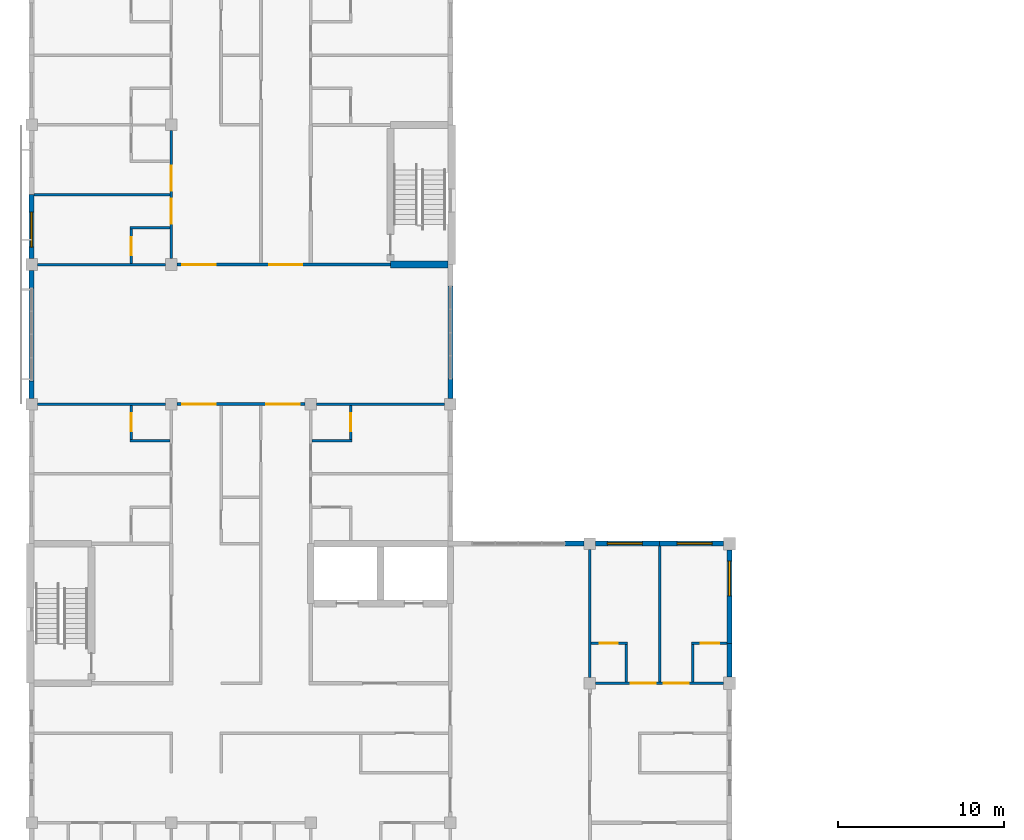
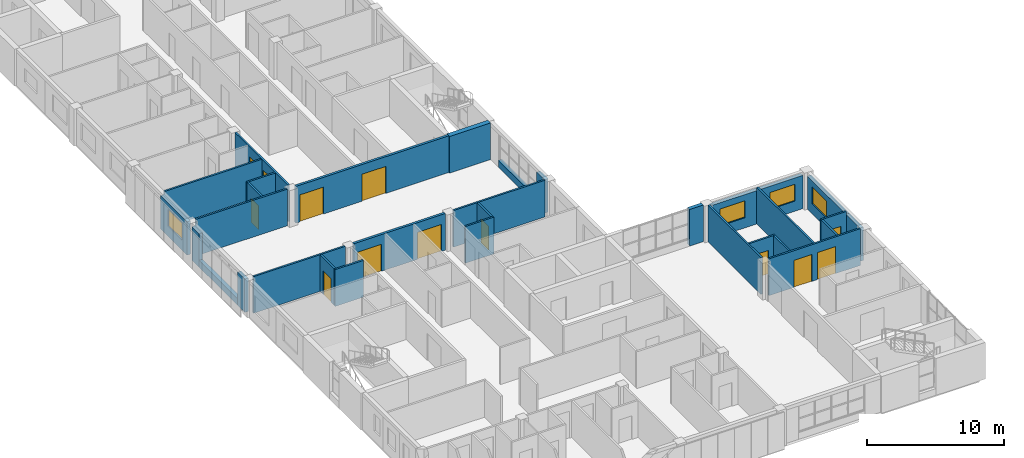
# One storey, part 26 of 45: 32 walls, 13 doors, 4 windows, 17 openings.
"""IFC4 building model written with IfcOpenShell, lengths in metres."""

from ifc_helpers import new_model, si_unit, direction, frame, frame_2d, origin, place, context, subcontext, project, spatial, rectangle, extrude, material, layer, layer_set, type_object, element, fill, save


model = new_model("IFC4")

# Units and contexts
model_context = context("Model", 3, precision=1e-05, world=origin(), true_north=direction((0.0, 1.0)))
body_context = subcontext(model_context, "Body", "Model", "MODEL_VIEW")
ifc_project = project(units=[si_unit("LENGTHUNIT", "METRE"), si_unit("AREAUNIT", "SQUARE_METRE"), si_unit("VOLUMEUNIT", "CUBIC_METRE"), si_unit("PLANEANGLEUNIT", "RADIAN"), si_unit("MASSUNIT", "GRAM", prefix="KILO")], contexts=[model_context])

# Site, building, storey
site_placement = place(None, origin())
site = spatial("IfcSite", under=ifc_project, at=site_placement, CompositionType="ELEMENT")
building_placement = place(site_placement, origin())
building = spatial("IfcBuilding", under=site, at=building_placement, Name="Yavir Park General Hospital", CompositionType="ELEMENT")
storey_placement = place(building_placement, frame((0.0, 0.0, 22.5)))
storey = spatial("IfcBuildingStorey", under=building, at=storey_placement, Name="L05", CompositionType="ELEMENT", Elevation=22.5)

# Wall, openings, doors
ifc_material_1 = material(Name="Double gypsum board fire partition on steel studs", Category="steel")
ifc_layer_1 = layer(ifc_material_1, 0.199951171875)
ifc_layer_set_1 = layer_set([ifc_layer_1], Name="Double gypsum board fire partition on steel studs")
wall_type_1 = type_object("IfcWallType", Name="Fire-rated partition 200, EI 60", PredefinedType="PARTITIONING", material=ifc_layer_set_1)
wall_1_placement = place(storey_placement, frame((8.75, 33.60009765625, 0.0), z_axis=(0.0, 0.0, 1.0), x_axis=(1.0, 0.0, 0.0)))
wall_1 = element("IfcWall", 1, at=wall_1_placement, inside=storey, type_object=wall_type_1, Name="FP20 L05-062", PredefinedType="PARTITIONING", context=body_context, shape_type="SweptSolid", body=[
    extrude(rectangle(XDim=7.699951171875, YDim=0.199951171875, at=frame_2d((3.85009765625, 0.0))), origin(), (0.0, 0.0, 1.0), 3.260009765625),
])
opening_1_placement = place(wall_1_placement, frame((0.324951171875, 0.0, 0.0)))
opening_1 = element("IfcOpeningElement", 2, at=opening_1_placement, cuts=wall_1, Name="Opening L05.D062", PredefinedType="OPENING", context=body_context, shape_type="SweptSolid", body=[
    extrude(rectangle(XDim=2.0, YDim=2.39990234375, at=frame_2d((1.0, 1.199951171875))), frame((0.0, 0.10986328125, 0.0), z_axis=(0.0, -1.0, 0.0), x_axis=(1.0, 0.0, 0.0)), (0.0, 0.0, 1.0), 0.219970703125),
])
opening_2_placement = place(wall_1_placement, frame((5.375, 0.0, 0.0)))
opening_2 = element("IfcOpeningElement", 3, at=opening_2_placement, cuts=wall_1, Name="Opening L05.D063", PredefinedType="OPENING", context=body_context, shape_type="SweptSolid", body=[
    extrude(rectangle(XDim=2.0, YDim=2.39990234375, at=frame_2d((1.0, 1.199951171875))), frame((0.0, 0.10986328125, 0.0), z_axis=(0.0, -1.0, 0.0), x_axis=(1.0, 0.0, 0.0)), (0.0, 0.0, 1.0), 0.219970703125),
])
ifc_material_2 = material(Name="Steel frame, fire-resisting leaves with vision panels", Category="steel")
door_type_1 = type_object("IfcDoorType", Name="Double fire door with vision panels 2000 x 2400, EI 60", OperationType="DOUBLE_DOOR_SINGLE_SWING", PredefinedType="DOOR", material=ifc_material_2)
door_1_placement = place(opening_1_placement, origin())
door_1 = element("IfcDoor", 4, at=door_1_placement, inside=storey, type_object=door_type_1, Name="L05.D062", OperationType="SINGLE_SWING_RIGHT", OverallHeight=2.39990234375, OverallWidth=2.0, PredefinedType="DOOR", context=body_context, shape_type="SweptSolid", body=[
    extrude(rectangle(XDim=2.0, YDim=2.39990234375, at=frame_2d((1.0, 1.199951171875))), frame((0.0, 0.030029296875, 0.0), z_axis=(0.0, -1.0, 0.0), x_axis=(1.0, 0.0, 0.0)), (0.0, 0.0, 1.0), 0.06005859375),
])
fill(opening_1, door_1)
door_2_placement = place(opening_2_placement, origin())
door_2 = element("IfcDoor", 5, at=door_2_placement, inside=storey, type_object=door_type_1, Name="L05.D063", OperationType="SINGLE_SWING_LEFT", OverallHeight=2.39990234375, OverallWidth=2.0, PredefinedType="DOOR", context=body_context, shape_type="SweptSolid", body=[
    extrude(rectangle(XDim=2.0, YDim=2.39990234375, at=frame_2d((1.0, 1.199951171875))), frame((0.0, 0.030029296875, 0.0), z_axis=(0.0, -1.0, 0.0), x_axis=(1.0, 0.0, 0.0)), (0.0, 0.0, 1.0), 0.06005859375),
])
fill(opening_2, door_2)

wall_2_placement = place(storey_placement, frame((8.75, 42.0, 0.0), z_axis=(0.0, 0.0, 1.0), x_axis=(1.0, 0.0, 0.0)))
wall_2 = element("IfcWall", 6, at=wall_2_placement, inside=storey, type_object=wall_type_1, Name="FP20 L05-065", PredefinedType="PARTITIONING", context=body_context, shape_type="SweptSolid", body=[
    extrude(rectangle(XDim=12.85009765625, YDim=0.199951171875, at=frame_2d((6.425048828125, 0.0))), origin(), (0.0, 0.0, 1.0), 3.260009765625),
])
opening_3_placement = place(wall_2_placement, frame((0.324951171875, 0.0, 0.0)))
opening_3 = element("IfcOpeningElement", 7, at=opening_3_placement, cuts=wall_2, Name="Opening L05.D064", PredefinedType="OPENING", context=body_context, shape_type="SweptSolid", body=[
    extrude(rectangle(XDim=2.0, YDim=2.39990234375, at=frame_2d((1.0, 1.199951171875))), frame((0.0, 0.10986328125, 0.0), z_axis=(0.0, -1.0, 0.0), x_axis=(1.0, 0.0, 0.0)), (0.0, 0.0, 1.0), 0.219970703125),
])
opening_4_placement = place(wall_2_placement, frame((5.550048828125, 0.0, 0.0)))
opening_4 = element("IfcOpeningElement", 8, at=opening_4_placement, cuts=wall_2, Name="Opening L05.D065", PredefinedType="OPENING", context=body_context, shape_type="SweptSolid", body=[
    extrude(rectangle(XDim=2.0, YDim=2.39990234375, at=frame_2d((1.0, 1.199951171875))), frame((0.0, 0.10986328125, 0.0), z_axis=(0.0, -1.0, 0.0), x_axis=(1.0, 0.0, 0.0)), (0.0, 0.0, 1.0), 0.219970703125),
])
door_3_placement = place(opening_3_placement, origin())
door_3 = element("IfcDoor", 9, at=door_3_placement, inside=storey, type_object=door_type_1, Name="L05.D064", OperationType="SINGLE_SWING_LEFT", OverallHeight=2.39990234375, OverallWidth=2.0, PredefinedType="DOOR", context=body_context, shape_type="SweptSolid", body=[
    extrude(rectangle(XDim=2.0, YDim=2.39990234375, at=frame_2d((1.0, 1.199951171875))), frame((0.0, 0.030029296875, 0.0), z_axis=(0.0, -1.0, 0.0), x_axis=(1.0, 0.0, 0.0)), (0.0, 0.0, 1.0), 0.06005859375),
])
fill(opening_3, door_3)
door_4_placement = place(opening_4_placement, origin())
door_4 = element("IfcDoor", 10, at=door_4_placement, inside=storey, type_object=door_type_1, Name="L05.D065", OperationType="SINGLE_SWING_RIGHT", OverallHeight=2.39990234375, OverallWidth=2.0, PredefinedType="DOOR", context=body_context, shape_type="SweptSolid", body=[
    extrude(rectangle(XDim=2.0, YDim=2.39990234375, at=frame_2d((1.0, 1.199951171875))), frame((0.0, 0.030029296875, 0.0), z_axis=(0.0, -1.0, 0.0), x_axis=(1.0, 0.0, 0.0)), (0.0, 0.0, 1.0), 0.06005859375),
])
fill(opening_4, door_4)

ifc_material_3 = material(Name="Gypsum board partition on steel studs", Category="steel")
ifc_layer_2 = layer(ifc_material_3, 0.14990234375)
ifc_layer_set_2 = layer_set([ifc_layer_2], Name="Gypsum board partition on steel studs")
wall_type_2 = type_object("IfcWallType", Name="Gypsum board partition 150", PredefinedType="PARTITIONING", material=ifc_layer_set_2)
wall_3_placement = place(storey_placement, frame((33.949951171875, 16.800048828125, 0.0), z_axis=(0.0, 0.0, 1.0), x_axis=(1.0, 0.0, 0.0)))
wall_3 = element("IfcWall", 11, at=wall_3_placement, inside=storey, type_object=wall_type_2, Name="P15 L05-035", PredefinedType="PARTITIONING", context=body_context, shape_type="SweptSolid", body=[
    extrude(rectangle(XDim=7.675048828125, YDim=0.14990234375, at=frame_2d((3.83740234375, 0.0))), origin(), (0.0, 0.0, 1.0), 3.260009765625),
])
opening_5_placement = place(wall_3_placement, frame((2.10009765625, 0.0, 0.0)))
opening_5 = element("IfcOpeningElement", 12, at=opening_5_placement, cuts=wall_3, Name="Opening L05.D036", PredefinedType="OPENING", context=body_context, shape_type="SweptSolid", body=[
    extrude(rectangle(XDim=1.5, YDim=2.39990234375, at=frame_2d((0.75, 1.199951171875))), frame((0.0, 0.0849609375, 0.0), z_axis=(0.0, -1.0, 0.0), x_axis=(1.0, 0.0, 0.0)), (0.0, 0.0, 1.0), 0.169921875),
])
opening_6_placement = place(wall_3_placement, frame((4.10009765625, 0.0, 0.0)))
opening_6 = element("IfcOpeningElement", 13, at=opening_6_placement, cuts=wall_3, Name="Opening L05.D037", PredefinedType="OPENING", context=body_context, shape_type="SweptSolid", body=[
    extrude(rectangle(XDim=1.5, YDim=2.39990234375, at=frame_2d((0.75, 1.199951171875))), frame((0.0, 0.0849609375, 0.0), z_axis=(0.0, -1.0, 0.0), x_axis=(1.0, 0.0, 0.0)), (0.0, 0.0, 1.0), 0.169921875),
])
ifc_material_4 = material(Name="Solid-core timber leaves, push plates, kick plates", Category="wood")
door_type_2 = type_object("IfcDoorType", Name="Bed door, unequal leaves 1500 x 2400", OperationType="DOUBLE_DOOR_SINGLE_SWING", PredefinedType="DOOR", material=ifc_material_4)
door_5_placement = place(opening_5_placement, origin())
door_5 = element("IfcDoor", 14, at=door_5_placement, inside=storey, type_object=door_type_2, Name="L05.D036", OperationType="SINGLE_SWING_RIGHT", OverallHeight=2.39990234375, OverallWidth=1.5, PredefinedType="DOOR", context=body_context, shape_type="SweptSolid", body=[
    extrude(rectangle(XDim=1.5, YDim=2.39990234375, at=frame_2d((0.75, 1.199951171875))), frame((0.0, 0.030029296875, 0.0), z_axis=(0.0, -1.0, 0.0), x_axis=(1.0, 0.0, 0.0)), (0.0, 0.0, 1.0), 0.06005859375),
])
fill(opening_5, door_5)
door_6_placement = place(opening_6_placement, origin())
door_6 = element("IfcDoor", 15, at=door_6_placement, inside=storey, type_object=door_type_2, Name="L05.D037", OperationType="SINGLE_SWING_RIGHT", OverallHeight=2.39990234375, OverallWidth=1.5, PredefinedType="DOOR", context=body_context, shape_type="SweptSolid", body=[
    extrude(rectangle(XDim=1.5, YDim=2.39990234375, at=frame_2d((0.75, 1.199951171875))), frame((0.0, 0.030029296875, 0.0), z_axis=(0.0, -1.0, 0.0), x_axis=(1.0, 0.0, 0.0)), (0.0, 0.0, 1.0), 0.06005859375),
])
fill(opening_6, door_6)

# Wall, opening, door
wall_4_placement = place(storey_placement, frame((33.675048828125, 19.199951171875, 0.0), z_axis=(0.0, 0.0, 1.0), x_axis=(1.0, 0.0, 0.0)))
wall_4 = element("IfcWall", 16, at=wall_4_placement, inside=storey, type_object=wall_type_2, Name="P15 L05-042", PredefinedType="PARTITIONING", context=body_context, shape_type="SweptSolid", body=[
    extrude(rectangle(XDim=2.199951171875, YDim=0.14990234375, at=frame_2d((1.10009765625, 0.0))), origin(), (0.0, 0.0, 1.0), 3.260009765625),
])
opening_7_placement = place(wall_4_placement, frame((0.512451171875, 0.0, 0.0)))
opening_7 = element("IfcOpeningElement", 17, at=opening_7_placement, cuts=wall_4, Name="Opening L05.D046", PredefinedType="OPENING", context=body_context, shape_type="SweptSolid", body=[
    extrude(rectangle(XDim=1.10009765625, YDim=2.10009765625, at=frame_2d((0.550048828125, 1.050048828125))), frame((0.0, 0.0849609375, 0.0), z_axis=(0.0, -1.0, 0.0), x_axis=(1.0, 0.0, 0.0)), (0.0, 0.0, 1.0), 0.169921875),
])
ifc_material_5 = material(Name="Hollow metal frame, solid-core timber leaf", Category="wood")
door_type_3 = type_object("IfcDoorType", Name="Single swing door 1100 x 2100", OperationType="SINGLE_SWING_LEFT", PredefinedType="DOOR", material=ifc_material_5)
door_7_placement = place(opening_7_placement, origin())
door_7 = element("IfcDoor", 18, at=door_7_placement, inside=storey, type_object=door_type_3, Name="L05.D046", OperationType="SINGLE_SWING_RIGHT", OverallHeight=2.10009765625, OverallWidth=1.10009765625, PredefinedType="DOOR", context=body_context, shape_type="SweptSolid", body=[
    extrude(rectangle(XDim=1.10009765625, YDim=2.10009765625, at=frame_2d((0.550048828125, 1.050048828125))), frame((0.0, 0.02490234375, 0.0), z_axis=(0.0, -1.0, 0.0), x_axis=(1.0, 0.0, 0.0)), (0.0, 0.0, 1.0), 0.050048828125),
])
fill(opening_7, door_7)

wall_5_placement = place(storey_placement, frame((39.72509765625, 19.199951171875, 0.0), z_axis=(0.0, 0.0, 1.0), x_axis=(1.0, 0.0, 0.0)))
wall_5 = element("IfcWall", 19, at=wall_5_placement, inside=storey, type_object=wall_type_2, Name="P15 L05-043", PredefinedType="PARTITIONING", context=body_context, shape_type="SweptSolid", body=[
    extrude(rectangle(XDim=2.125, YDim=0.14990234375, at=frame_2d((1.0625, 0.0))), origin(), (0.0, 0.0, 1.0), 3.260009765625),
])
opening_8_placement = place(wall_5_placement, frame((0.550048828125, 0.0, 0.0)))
opening_8 = element("IfcOpeningElement", 20, at=opening_8_placement, cuts=wall_5, Name="Opening L05.D047", PredefinedType="OPENING", context=body_context, shape_type="SweptSolid", body=[
    extrude(rectangle(XDim=1.10009765625, YDim=2.10009765625, at=frame_2d((0.550048828125, 1.050048828125))), frame((0.0, 0.0849609375, 0.0), z_axis=(0.0, -1.0, 0.0), x_axis=(1.0, 0.0, 0.0)), (0.0, 0.0, 1.0), 0.169921875),
])
door_8_placement = place(opening_8_placement, origin())
door_8 = element("IfcDoor", 21, at=door_8_placement, inside=storey, type_object=door_type_3, Name="L05.D047", OperationType="SINGLE_SWING_LEFT", OverallHeight=2.10009765625, OverallWidth=1.10009765625, PredefinedType="DOOR", context=body_context, shape_type="SweptSolid", body=[
    extrude(rectangle(XDim=1.10009765625, YDim=2.10009765625, at=frame_2d((0.550048828125, 1.050048828125))), frame((0.0, 0.02490234375, 0.0), z_axis=(0.0, -1.0, 0.0), x_axis=(1.0, 0.0, 0.0)), (0.0, 0.0, 1.0), 0.050048828125),
])
fill(opening_8, door_8)

# Walls
for number, where, z_axis, x_axis, name in (
    (22, (5.925048828125, 31.39990234375, 0.0), (0.0, 0.0, 1.0), (1.0, 0.0, 0.0), "P15 L05-059"),
    (23, (16.875, 31.39990234375, 0.0), (0.0, 0.0, 1.0), (1.0, 0.0, 0.0), "P15 L05-060"),
):
    element("IfcWall", number, at=place(storey_placement, frame(where, z_axis=z_axis, x_axis=x_axis)), inside=storey, type_object=wall_type_2, Name=name, PredefinedType="PARTITIONING", context=body_context, shape_type="SweptSolid", body=[
        extrude(rectangle(XDim=2.39990234375, YDim=0.14990234375, at=frame_2d((1.199951171875, 0.0))), origin(), (0.0, 0.0, 1.0), 3.260009765625),
    ])
wall_6_placement = place(storey_placement, frame((0.35009765625, 33.60009765625, 0.0), z_axis=(0.0, 0.0, 1.0), x_axis=(1.0, 0.0, 0.0)))
element("IfcWall", 24, at=wall_6_placement, inside=storey, type_object=wall_type_2, Name="P15 L05-061", PredefinedType="PARTITIONING", context=body_context, shape_type="SweptSolid", body=[
    extrude(rectangle(XDim=7.699951171875, YDim=0.14990234375, at=frame_2d((3.85009765625, 0.0))), origin(), (0.0, 0.0, 1.0), 3.260009765625),
])
wall_7_placement = place(storey_placement, frame((17.14990234375, 33.60009765625, 0.0), z_axis=(0.0, 0.0, 1.0), x_axis=(1.0, 0.0, 0.0)))
element("IfcWall", 25, at=wall_7_placement, inside=storey, type_object=wall_type_2, Name="P15 L05-063", PredefinedType="PARTITIONING", context=body_context, shape_type="SweptSolid", body=[
    extrude(rectangle(XDim=7.7001953125, YDim=0.14990234375, at=frame_2d((3.85009765625, 0.0))), origin(), (0.0, 0.0, 1.0), 3.260009765625),
])
wall_8_placement = place(storey_placement, frame((0.35009765625, 42.0, 0.0), z_axis=(0.0, 0.0, 1.0), x_axis=(1.0, 0.0, 0.0)))
element("IfcWall", 26, at=wall_8_placement, inside=storey, type_object=wall_type_2, Name="P15 L05-064", PredefinedType="PARTITIONING", context=body_context, shape_type="SweptSolid", body=[
    extrude(rectangle(XDim=7.699951171875, YDim=0.14990234375, at=frame_2d((3.85009765625, 0.0))), origin(), (0.0, 0.0, 1.0), 3.260009765625),
])
wall_9_placement = place(storey_placement, frame((5.925048828125, 44.199951171875, 0.0), z_axis=(0.0, 0.0, 1.0), x_axis=(1.0, 0.0, 0.0)))
element("IfcWall", 27, at=wall_9_placement, inside=storey, type_object=wall_type_2, Name="P15 L05-067", PredefinedType="PARTITIONING", context=body_context, shape_type="SweptSolid", body=[
    extrude(rectangle(XDim=2.39990234375, YDim=0.14990234375, at=frame_2d((1.199951171875, 0.0))), origin(), (0.0, 0.0, 1.0), 3.260009765625),
])
wall_10_placement = place(storey_placement, frame((0.14990234375, 46.199951171875, 0.0), z_axis=(0.0, 0.0, 1.0), x_axis=(1.0, 0.0, 0.0)))
element("IfcWall", 28, at=wall_10_placement, inside=storey, type_object=wall_type_2, Name="P15 L05-068", PredefinedType="PARTITIONING", context=body_context, shape_type="SweptSolid", body=[
    extrude(rectangle(XDim=8.175048828125, YDim=0.14990234375, at=frame_2d((4.08740234375, 0.0))), origin(), (0.0, 0.0, 1.0), 3.260009765625),
])

# Wall, opening, door
wall_11_placement = place(storey_placement, frame((6.0, 31.47509765625, 0.0), z_axis=(0.0, 0.0, 1.0), x_axis=(0.0, 1.0, 0.0)))
wall_11 = element("IfcWall", 29, at=wall_11_placement, inside=storey, type_object=wall_type_2, Name="P15 L05-145", PredefinedType="PARTITIONING", context=body_context, shape_type="SweptSolid", body=[
    extrude(rectangle(XDim=2.0498046875, YDim=0.14990234375, at=frame_2d((1.02490234375, 0.0))), origin(), (0.0, 0.0, 1.0), 3.260009765625),
])
opening_9_placement = place(wall_11_placement, frame((0.47509765625, 0.0, 0.0)))
opening_9 = element("IfcOpeningElement", 30, at=opening_9_placement, cuts=wall_11, Name="Opening L05.D079", PredefinedType="OPENING", context=body_context, shape_type="SweptSolid", body=[
    extrude(rectangle(XDim=1.10009765625, YDim=2.10009765625, at=frame_2d((0.550048828125, 1.050048828125))), frame((0.0, 0.0849609375, 0.0), z_axis=(0.0, -1.0, 0.0), x_axis=(1.0, 0.0, 0.0)), (0.0, 0.0, 1.0), 0.169921875),
])
door_9_placement = place(opening_9_placement, origin())
door_9 = element("IfcDoor", 31, at=door_9_placement, inside=storey, type_object=door_type_3, Name="L05.D079", OperationType="SINGLE_SWING_LEFT", OverallHeight=2.10009765625, OverallWidth=1.10009765625, PredefinedType="DOOR", context=body_context, shape_type="SweptSolid", body=[
    extrude(rectangle(XDim=1.10009765625, YDim=2.10009765625, at=frame_2d((0.550048828125, 1.050048828125))), frame((0.0, 0.02490234375, 0.0), z_axis=(0.0, -1.0, 0.0), x_axis=(1.0, 0.0, 0.0)), (0.0, 0.0, 1.0), 0.050048828125),
])
fill(opening_9, door_9)

wall_12_placement = place(storey_placement, frame((6.0, 42.074951171875, 0.0), z_axis=(0.0, 0.0, 1.0), x_axis=(0.0, 1.0, 0.0)))
wall_12 = element("IfcWall", 32, at=wall_12_placement, inside=storey, type_object=wall_type_2, Name="P15 L05-146", PredefinedType="PARTITIONING", context=body_context, shape_type="SweptSolid", body=[
    extrude(rectangle(XDim=2.050048828125, YDim=0.14990234375, at=frame_2d((1.02490234375, 0.0))), origin(), (0.0, 0.0, 1.0), 3.260009765625),
])
opening_10_placement = place(wall_12_placement, frame((0.47509765625, 0.0, 0.0)))
opening_10 = element("IfcOpeningElement", 33, at=opening_10_placement, cuts=wall_12, Name="Opening L05.D080", PredefinedType="OPENING", context=body_context, shape_type="SweptSolid", body=[
    extrude(rectangle(XDim=1.10009765625, YDim=2.10009765625, at=frame_2d((0.550048828125, 1.050048828125))), frame((0.0, 0.0849609375, 0.0), z_axis=(0.0, -1.0, 0.0), x_axis=(1.0, 0.0, 0.0)), (0.0, 0.0, 1.0), 0.169921875),
])
door_10_placement = place(opening_10_placement, origin())
door_10 = element("IfcDoor", 34, at=door_10_placement, inside=storey, type_object=door_type_3, Name="L05.D080", OperationType="SINGLE_SWING_RIGHT", OverallHeight=2.10009765625, OverallWidth=1.10009765625, PredefinedType="DOOR", context=body_context, shape_type="SweptSolid", body=[
    extrude(rectangle(XDim=1.10009765625, YDim=2.10009765625, at=frame_2d((0.550048828125, 1.050048828125))), frame((0.0, 0.02490234375, 0.0), z_axis=(0.0, -1.0, 0.0), x_axis=(1.0, 0.0, 0.0)), (0.0, 0.0, 1.0), 0.050048828125),
])
fill(opening_10, door_10)

# Wall, openings, doors
wall_13_placement = place(storey_placement, frame((8.39990234375, 42.35009765625, 0.0), z_axis=(0.0, 0.0, 1.0), x_axis=(0.0, 1.0, 0.0)))
wall_13 = element("IfcWall", 35, at=wall_13_placement, inside=storey, type_object=wall_type_2, Name="P15 L05-164", PredefinedType="PARTITIONING", context=body_context, shape_type="SweptSolid", body=[
    extrude(rectangle(XDim=7.699951171875, YDim=0.14990234375, at=frame_2d((3.85009765625, 0.0))), origin(), (0.0, 0.0, 1.0), 3.260009765625),
])
opening_11_placement = place(wall_13_placement, frame((2.10009765625, 0.0, 0.0)))
opening_11 = element("IfcOpeningElement", 36, at=opening_11_placement, cuts=wall_13, Name="Opening L05.D094", PredefinedType="OPENING", context=body_context, shape_type="SweptSolid", body=[
    extrude(rectangle(XDim=1.5, YDim=2.39990234375, at=frame_2d((0.75, 1.199951171875))), frame((0.0, 0.0849609375, 0.0), z_axis=(0.0, -1.0, 0.0), x_axis=(1.0, 0.0, 0.0)), (0.0, 0.0, 1.0), 0.169921875),
])
opening_12_placement = place(wall_13_placement, frame((4.10009765625, 0.0, 0.0)))
opening_12 = element("IfcOpeningElement", 37, at=opening_12_placement, cuts=wall_13, Name="Opening L05.D095", PredefinedType="OPENING", context=body_context, shape_type="SweptSolid", body=[
    extrude(rectangle(XDim=1.5, YDim=2.39990234375, at=frame_2d((0.75, 1.199951171875))), frame((0.0, 0.0849609375, 0.0), z_axis=(0.0, -1.0, 0.0), x_axis=(1.0, 0.0, 0.0)), (0.0, 0.0, 1.0), 0.169921875),
])
door_11_placement = place(opening_11_placement, origin())
door_11 = element("IfcDoor", 38, at=door_11_placement, inside=storey, type_object=door_type_2, Name="L05.D094", OperationType="SINGLE_SWING_RIGHT", OverallHeight=2.39990234375, OverallWidth=1.5, PredefinedType="DOOR", context=body_context, shape_type="SweptSolid", body=[
    extrude(rectangle(XDim=1.5, YDim=2.39990234375, at=frame_2d((0.75, 1.199951171875))), frame((0.0, 0.030029296875, 0.0), z_axis=(0.0, -1.0, 0.0), x_axis=(1.0, 0.0, 0.0)), (0.0, 0.0, 1.0), 0.06005859375),
])
fill(opening_11, door_11)
door_12_placement = place(opening_12_placement, origin())
door_12 = element("IfcDoor", 39, at=door_12_placement, inside=storey, type_object=door_type_2, Name="L05.D095", OperationType="SINGLE_SWING_RIGHT", OverallHeight=2.39990234375, OverallWidth=1.5, PredefinedType="DOOR", context=body_context, shape_type="SweptSolid", body=[
    extrude(rectangle(XDim=1.5, YDim=2.39990234375, at=frame_2d((0.75, 1.199951171875))), frame((0.0, 0.030029296875, 0.0), z_axis=(0.0, -1.0, 0.0), x_axis=(1.0, 0.0, 0.0)), (0.0, 0.0, 1.0), 0.06005859375),
])
fill(opening_12, door_12)

# Wall, opening, door
wall_14_placement = place(storey_placement, frame((19.199951171875, 31.47509765625, 0.0), z_axis=(0.0, 0.0, 1.0), x_axis=(0.0, 1.0, 0.0)))
wall_14 = element("IfcWall", 40, at=wall_14_placement, inside=storey, type_object=wall_type_2, Name="P15 L05-197", PredefinedType="PARTITIONING", context=body_context, shape_type="SweptSolid", body=[
    extrude(rectangle(XDim=2.0498046875, YDim=0.14990234375, at=frame_2d((1.02490234375, 0.0))), origin(), (0.0, 0.0, 1.0), 3.260009765625),
])
opening_13_placement = place(wall_14_placement, frame((0.47509765625, 0.0, 0.0)))
opening_13 = element("IfcOpeningElement", 41, at=opening_13_placement, cuts=wall_14, Name="Opening L05.D132", PredefinedType="OPENING", context=body_context, shape_type="SweptSolid", body=[
    extrude(rectangle(XDim=1.10009765625, YDim=2.10009765625, at=frame_2d((0.550048828125, 1.050048828125))), frame((0.0, 0.0849609375, 0.0), z_axis=(0.0, -1.0, 0.0), x_axis=(1.0, 0.0, 0.0)), (0.0, 0.0, 1.0), 0.169921875),
])
door_13_placement = place(opening_13_placement, origin())
door_13 = element("IfcDoor", 42, at=door_13_placement, inside=storey, type_object=door_type_3, Name="L05.D132", OperationType="SINGLE_SWING_RIGHT", OverallHeight=2.10009765625, OverallWidth=1.10009765625, PredefinedType="DOOR", context=body_context, shape_type="SweptSolid", body=[
    extrude(rectangle(XDim=1.10009765625, YDim=2.10009765625, at=frame_2d((0.550048828125, 1.050048828125))), frame((0.0, 0.02490234375, 0.0), z_axis=(0.0, -1.0, 0.0), x_axis=(1.0, 0.0, 0.0)), (0.0, 0.0, 1.0), 0.050048828125),
])
fill(opening_13, door_13)

# Walls
wall_15_placement = place(storey_placement, frame((33.60009765625, 17.14990234375, 0.0), z_axis=(0.0, 0.0, 1.0), x_axis=(0.0, 1.0, 0.0)))
element("IfcWall", 43, at=wall_15_placement, inside=storey, type_object=wall_type_2, Name="P15 L05-218", PredefinedType="PARTITIONING", context=body_context, shape_type="SweptSolid", body=[
    extrude(rectangle(XDim=7.7001953125, YDim=0.14990234375, at=frame_2d((3.85009765625, 0.0))), origin(), (0.0, 0.0, 1.0), 3.260009765625),
])
wall_16_placement = place(storey_placement, frame((35.800048828125, 16.875, 0.0), z_axis=(0.0, 0.0, 1.0), x_axis=(0.0, 1.0, 0.0)))
element("IfcWall", 44, at=wall_16_placement, inside=storey, type_object=wall_type_2, Name="P15 L05-219", PredefinedType="PARTITIONING", context=body_context, shape_type="SweptSolid", body=[
    extrude(rectangle(XDim=2.25, YDim=0.14990234375, at=frame_2d((1.125, 0.0))), origin(), (0.0, 0.0, 1.0), 3.260009765625),
])
wall_17_placement = place(storey_placement, frame((37.800048828125, 16.875, 0.0), z_axis=(0.0, 0.0, 1.0), x_axis=(0.0, 1.0, 0.0)))
element("IfcWall", 45, at=wall_17_placement, inside=storey, type_object=wall_type_2, Name="P15 L05-221", PredefinedType="PARTITIONING", context=body_context, shape_type="SweptSolid", body=[
    extrude(rectangle(XDim=8.175048828125, YDim=0.14990234375, at=frame_2d((4.08740234375, 0.0))), origin(), (0.0, 0.0, 1.0), 3.260009765625),
])
wall_18_placement = place(storey_placement, frame((39.800048828125, 16.875, 0.0), z_axis=(0.0, 0.0, 1.0), x_axis=(0.0, 1.0, 0.0)))
element("IfcWall", 46, at=wall_18_placement, inside=storey, type_object=wall_type_2, Name="P15 L05-222", PredefinedType="PARTITIONING", context=body_context, shape_type="SweptSolid", body=[
    extrude(rectangle(XDim=2.25, YDim=0.14990234375, at=frame_2d((1.125, 0.0))), origin(), (0.0, 0.0, 1.0), 3.260009765625),
])
ifc_material_6 = material(Name="Autoclaved aerated block, mineral wool and ochre mineral render")
ifc_layer_3 = layer(ifc_material_6, 0.300048828125)
ifc_layer_set_3 = layer_set([ifc_layer_3], Name="Autoclaved aerated block, mineral wool and ochre mineral render")
wall_type_3 = type_object("IfcWallType", Name="Ochre render ward wall 300, E 30", PredefinedType="SOLIDWALL", material=ifc_layer_set_3)
wall_19_placement = place(storey_placement, frame((32.10009765625, 25.199951171875, 0.0), z_axis=(0.0, 0.0, 1.0), x_axis=(1.0, 0.0, 0.0)))
element("IfcWall", 47, at=wall_19_placement, inside=storey, type_object=wall_type_3, Name="XW7 L05-033", PredefinedType="SOLIDWALL", context=body_context, shape_type="SweptSolid", body=[
    extrude(rectangle(XDim=1.14990234375, YDim=0.300048828125, at=frame_2d((0.574951171875, 0.0))), origin(), (0.0, 0.0, 1.0), 3.260009765625),
])

# Wall, opening, window
wall_20_placement = place(storey_placement, frame((33.949951171875, 25.199951171875, 0.0), z_axis=(0.0, 0.0, 1.0), x_axis=(1.0, 0.0, 0.0)))
wall_20 = element("IfcWall", 48, at=wall_20_placement, inside=storey, type_object=wall_type_3, Name="XW7 L05-035", PredefinedType="SOLIDWALL", context=body_context, shape_type="SweptSolid", body=[
    extrude(rectangle(XDim=3.85009765625, YDim=0.300048828125, at=frame_2d((1.925048828125, 0.0))), origin(), (0.0, 0.0, 1.0), 2.9599609375),
])
opening_14_placement = place(wall_20_placement, frame((0.699951171875, 0.0, 0.89990234375)))
opening_14 = element("IfcOpeningElement", 49, at=opening_14_placement, cuts=wall_20, Name="Opening WAR", PredefinedType="OPENING", context=body_context, shape_type="SweptSolid", body=[
    extrude(rectangle(XDim=2.10009765625, YDim=1.5, at=frame_2d((1.050048828125, 0.75))), frame((0.0, 0.159912109375, 0.0), z_axis=(0.0, -1.0, 0.0), x_axis=(1.0, 0.0, 0.0)), (0.0, 0.0, 1.0), 0.320068359375),
])
ifc_material_7 = material(Name="Aluminium frame, tilt-and-turn sash with opening restrictor, double glazed unit", Category="aluminium")
window_type = type_object("IfcWindowType", Name="Ward window, restricted opening 2100 x 1500", PartitioningType="DOUBLE_PANEL_VERTICAL", PredefinedType="WINDOW", material=ifc_material_7)
window_1_placement = place(opening_14_placement, origin())
window_1 = element("IfcWindow", 50, at=window_1_placement, inside=storey, type_object=window_type, Name="WAR L05-012", OverallHeight=1.5, OverallWidth=2.10009765625, PartitioningType="DOUBLE_PANEL_VERTICAL", PredefinedType="WINDOW", context=body_context, shape_type="SweptSolid", body=[
    extrude(rectangle(XDim=2.10009765625, YDim=1.5, at=frame_2d((1.050048828125, 0.75))), frame((0.0, 0.050048828125, 0.0), z_axis=(0.0, -1.0, 0.0), x_axis=(1.0, 0.0, 0.0)), (0.0, 0.0, 1.0), 0.10009765625),
])
fill(opening_14, window_1)

wall_21_placement = place(storey_placement, frame((37.800048828125, 25.199951171875, 0.0), z_axis=(0.0, 0.0, 1.0), x_axis=(1.0, 0.0, 0.0)))
wall_21 = element("IfcWall", 51, at=wall_21_placement, inside=storey, type_object=wall_type_3, Name="XW7 L05-036", PredefinedType="SOLIDWALL", context=body_context, shape_type="SweptSolid", body=[
    extrude(rectangle(XDim=3.824951171875, YDim=0.300048828125, at=frame_2d((1.91259765625, 0.0))), origin(), (0.0, 0.0, 1.0), 2.9599609375),
])
opening_15_placement = place(wall_21_placement, frame((1.050048828125, 0.0, 0.89990234375)))
opening_15 = element("IfcOpeningElement", 52, at=opening_15_placement, cuts=wall_21, Name="Opening WAR", PredefinedType="OPENING", context=body_context, shape_type="SweptSolid", body=[
    extrude(rectangle(XDim=2.10009765625, YDim=1.5, at=frame_2d((1.050048828125, 0.75))), frame((0.0, 0.159912109375, 0.0), z_axis=(0.0, -1.0, 0.0), x_axis=(1.0, 0.0, 0.0)), (0.0, 0.0, 1.0), 0.320068359375),
])
window_2_placement = place(opening_15_placement, origin())
window_2 = element("IfcWindow", 53, at=window_2_placement, inside=storey, type_object=window_type, Name="WAR L05-013", OverallHeight=1.5, OverallWidth=2.10009765625, PartitioningType="DOUBLE_PANEL_VERTICAL", PredefinedType="WINDOW", context=body_context, shape_type="SweptSolid", body=[
    extrude(rectangle(XDim=2.10009765625, YDim=1.5, at=frame_2d((1.050048828125, 0.75))), frame((0.0, 0.050048828125, 0.0), z_axis=(0.0, -1.0, 0.0), x_axis=(1.0, 0.0, 0.0)), (0.0, 0.0, 1.0), 0.10009765625),
])
fill(opening_15, window_2)

# Walls
wall_22_placement = place(storey_placement, frame((0.0, 33.949951171875, 0.0), z_axis=(0.0, 0.0, 1.0), x_axis=(0.0, 1.0, 0.0)))
element("IfcWall", 54, at=wall_22_placement, inside=storey, type_object=wall_type_3, Name="XW7 L05-078", PredefinedType="SOLIDWALL", context=body_context, shape_type="SweptSolid", body=[
    extrude(rectangle(XDim=1.050048828125, YDim=0.300048828125, at=frame_2d((0.52490234375, 0.0))), origin(), (0.0, 0.0, 1.0), 2.9599609375),
])
wall_23_placement = place(storey_placement, frame((0.0, 40.60009765625, 0.0), z_axis=(0.0, 0.0, 1.0), x_axis=(0.0, 1.0, 0.0)))
element("IfcWall", 55, at=wall_23_placement, inside=storey, type_object=wall_type_3, Name="XW7 L05-079", PredefinedType="SOLIDWALL", context=body_context, shape_type="SweptSolid", body=[
    extrude(rectangle(XDim=1.0498046875, YDim=0.300048828125, at=frame_2d((0.52490234375, 0.0))), origin(), (0.0, 0.0, 1.0), 2.9599609375),
])
wall_24_placement = place(storey_placement, frame((0.0, 35.0, 0.0), z_axis=(0.0, 0.0, 1.0), x_axis=(0.0, 1.0, 0.0)))
element("IfcWall", 56, at=wall_24_placement, inside=storey, type_object=wall_type_3, Name="XW7 L05-080", PredefinedType="SOLIDWALL", context=body_context, shape_type="SweptSolid", body=[
    extrude(rectangle(XDim=5.60009765625, YDim=0.300048828125, at=frame_2d((2.800048828125, 0.0))), origin(), (0.0, 0.0, 1.0), 0.60009765625),
])

# Wall, opening, window
wall_25_placement = place(storey_placement, frame((0.0, 42.35009765625, 0.0), z_axis=(0.0, 0.0, 1.0), x_axis=(0.0, 1.0, 0.0)))
wall_25 = element("IfcWall", 57, at=wall_25_placement, inside=storey, type_object=wall_type_3, Name="XW7 L05-081", PredefinedType="SOLIDWALL", context=body_context, shape_type="SweptSolid", body=[
    extrude(rectangle(XDim=3.849853515625, YDim=0.300048828125, at=frame_2d((1.9248046875, 0.0))), origin(), (0.0, 0.0, 1.0), 2.9599609375),
])
opening_16_placement = place(wall_25_placement, frame((0.699951171875, 0.0, 0.89990234375)))
opening_16 = element("IfcOpeningElement", 58, at=opening_16_placement, cuts=wall_25, Name="Opening WAR", PredefinedType="OPENING", context=body_context, shape_type="SweptSolid", body=[
    extrude(rectangle(XDim=2.10009765625, YDim=1.5, at=frame_2d((1.050048828125, 0.75))), frame((0.0, 0.159912109375, 0.0), z_axis=(0.0, -1.0, 0.0), x_axis=(1.0, 0.0, 0.0)), (0.0, 0.0, 1.0), 0.320068359375),
])
window_3_placement = place(opening_16_placement, origin())
window_3 = element("IfcWindow", 59, at=window_3_placement, inside=storey, type_object=window_type, Name="WAR L05-030", OverallHeight=1.5, OverallWidth=2.10009765625, PartitioningType="DOUBLE_PANEL_VERTICAL", PredefinedType="WINDOW", context=body_context, shape_type="SweptSolid", body=[
    extrude(rectangle(XDim=2.10009765625, YDim=1.5, at=frame_2d((1.050048828125, 0.75))), frame((0.0, 0.050048828125, 0.0), z_axis=(0.0, -1.0, 0.0), x_axis=(1.0, 0.0, 0.0)), (0.0, 0.0, 1.0), 0.10009765625),
])
fill(opening_16, window_3)

# Walls
wall_26_placement = place(storey_placement, frame((25.199951171875, 33.949951171875, 0.0), z_axis=(0.0, 0.0, 1.0), x_axis=(0.0, 1.0, 0.0)))
element("IfcWall", 60, at=wall_26_placement, inside=storey, type_object=wall_type_3, Name="XW7 L05-102", PredefinedType="SOLIDWALL", context=body_context, shape_type="SweptSolid", body=[
    extrude(rectangle(XDim=1.150146484375, YDim=0.300048828125, at=frame_2d((0.5751953125, 0.0))), origin(), (0.0, 0.0, 1.0), 2.9599609375),
])
wall_27_placement = place(storey_placement, frame((25.199951171875, 35.10009765625, 0.0), z_axis=(0.0, 0.0, 1.0), x_axis=(0.0, 1.0, 0.0)))
element("IfcWall", 61, at=wall_27_placement, inside=storey, type_object=wall_type_3, Name="XW7 L05-104", PredefinedType="SOLIDWALL", context=body_context, shape_type="SweptSolid", body=[
    extrude(rectangle(XDim=5.599853515625, YDim=0.300048828125, at=frame_2d((2.7998046875, 0.0))), origin(), (0.0, 0.0, 1.0), 0.60009765625),
])
wall_28_placement = place(storey_placement, frame((42.0, 17.175048828125, 0.0), z_axis=(0.0, 0.0, 1.0), x_axis=(0.0, 1.0, 0.0)))
element("IfcWall", 62, at=wall_28_placement, inside=storey, type_object=wall_type_3, Name="XW7 L05-134", PredefinedType="SOLIDWALL", context=body_context, shape_type="SweptSolid", body=[
    extrude(rectangle(XDim=2.02490234375, YDim=0.300048828125, at=frame_2d((1.012451171875, 0.0))), origin(), (0.0, 0.0, 1.0), 2.9599609375),
])

# Wall, opening, window
wall_29_placement = place(storey_placement, frame((42.0, 19.199951171875, 0.0), z_axis=(0.0, 0.0, 1.0), x_axis=(0.0, 1.0, 0.0)))
wall_29 = element("IfcWall", 63, at=wall_29_placement, inside=storey, type_object=wall_type_3, Name="XW7 L05-135", PredefinedType="SOLIDWALL", context=body_context, shape_type="SweptSolid", body=[
    extrude(rectangle(XDim=5.625, YDim=0.300048828125, at=frame_2d((2.8125, 0.0))), origin(), (0.0, 0.0, 1.0), 2.9599609375),
])
opening_17_placement = place(wall_29_placement, frame((2.85009765625, 0.0, 0.89990234375)))
opening_17 = element("IfcOpeningElement", 64, at=opening_17_placement, cuts=wall_29, Name="Opening WAR", PredefinedType="OPENING", context=body_context, shape_type="SweptSolid", body=[
    extrude(rectangle(XDim=2.10009765625, YDim=1.5, at=frame_2d((1.050048828125, 0.75))), frame((0.0, 0.159912109375, 0.0), z_axis=(0.0, -1.0, 0.0), x_axis=(1.0, 0.0, 0.0)), (0.0, 0.0, 1.0), 0.320068359375),
])
window_4_placement = place(opening_17_placement, origin())
window_4 = element("IfcWindow", 65, at=window_4_placement, inside=storey, type_object=window_type, Name="WAR L05-058", OverallHeight=1.5, OverallWidth=2.10009765625, PartitioningType="DOUBLE_PANEL_VERTICAL", PredefinedType="WINDOW", context=body_context, shape_type="SweptSolid", body=[
    extrude(rectangle(XDim=2.10009765625, YDim=1.5, at=frame_2d((1.050048828125, 0.75))), frame((0.0, 0.050048828125, 0.0), z_axis=(0.0, -1.0, 0.0), x_axis=(1.0, 0.0, 0.0)), (0.0, 0.0, 1.0), 0.10009765625),
])
fill(opening_17, window_4)

# Wall
ifc_material_8 = material(Name="Concrete C35/45", Category="concrete")
ifc_layer_4 = layer(ifc_material_8, 0.39990234375)
ifc_layer_set_4 = layer_set([ifc_layer_4], Name="Concrete C35/45")
wall_type_4 = type_object("IfcWallType", Name="Reinforced concrete core wall 400, REI 150", PredefinedType="SHEAR", material=ifc_layer_set_4)
wall_30_placement = place(storey_placement, frame((21.60009765625, 42.0, 0.0), z_axis=(0.0, 0.0, 1.0), x_axis=(1.0, 0.0, 0.0)))
element("IfcWall", 66, at=wall_30_placement, inside=storey, type_object=wall_type_4, Name="CW40 L05-066", PredefinedType="SHEAR", context=body_context, shape_type="SweptSolid", body=[
    extrude(rectangle(XDim=3.449951171875, YDim=0.39990234375, at=frame_2d((1.72509765625, 0.0))), origin(), (0.0, 0.0, 1.0), 3.260009765625),
])

save(model, "model.ifc")
